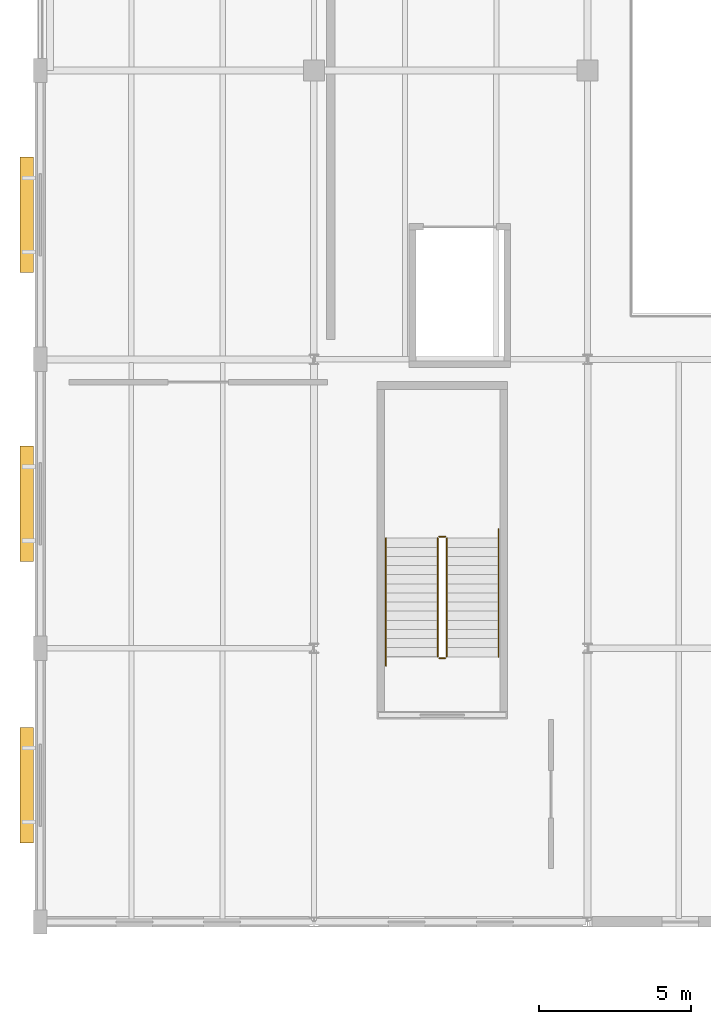
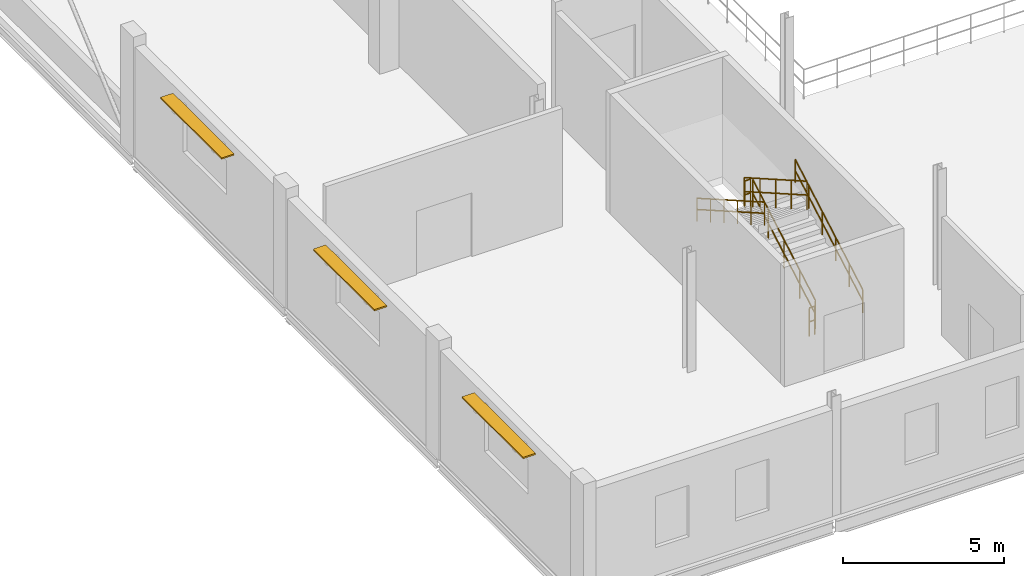
# One storey, part 88 of 93: 6 railings, 3 shading devices.
"""IFC4 building model written with IfcOpenShell, lengths in metres."""

from ifc_helpers import new_model, si_unit, direction, frame, origin, origin_2d, place, context, subcontext, project, spatial, rectangle, circle, extrude, material, layer, layer_set, type_object, element, save


model = new_model("IFC4")

# Units and contexts
model_context = context("Model", 3, precision=1e-05, world=origin(), true_north=direction((0.0, 1.0)))
body_context = subcontext(model_context, "Body", "Model", "MODEL_VIEW")
ifc_project = project(units=[si_unit("LENGTHUNIT", "METRE"), si_unit("AREAUNIT", "SQUARE_METRE"), si_unit("VOLUMEUNIT", "CUBIC_METRE"), si_unit("PLANEANGLEUNIT", "RADIAN"), si_unit("MASSUNIT", "GRAM", prefix="KILO")], contexts=[model_context])

# Site, building, storey
site_placement = place(None, origin())
site = spatial("IfcSite", under=ifc_project, at=site_placement, CompositionType="ELEMENT")
building_placement = place(site_placement, origin())
building = spatial("IfcBuilding", under=site, at=building_placement, Name="Marnock Terrace Opera House", CompositionType="ELEMENT")
storey_placement = place(building_placement, frame((0.0, 0.0, 5.39990234375)))
storey = spatial("IfcBuildingStorey", under=building, at=storey_placement, Name="L01", CompositionType="ELEMENT", Elevation=5.39990234375)

# Railings
ifc_material_1 = material(Name="Architectural bronze balustrade")
railing_type_1 = type_object("IfcRailingType", Name="RL-GUARD-1100", PredefinedType="GUARDRAIL", material=ifc_material_1)
railing_1_placement = place(storey_placement, frame((13.3701171875, 74.719970703125, 0.171630859375)))
element("IfcRailing", 1, at=railing_1_placement, inside=storey, type_object=railing_type_1, Name="L01 ST-07 stair guard 1", PredefinedType="GUARDRAIL", context=body_context, shape_type="SweptSolid", body=[
    extrude(circle(Radius=0.02392578125, at=origin_2d()), frame((0.0, 0.0, 1.076171875), z_axis=(0.0, 0.868256520506, 0.496115525457), x_axis=(-1.0, 0.0, 0.0)), (0.0, 0.0, 1.0), 4.491943359375),
    extrude(circle(Radius=0.02392578125, at=origin_2d()), frame((0.0, 0.0, 0.550048828125), z_axis=(0.0, 0.868256520506, 0.496115525457), x_axis=(-1.0, 0.0, 0.0)), (0.0, 0.0, 1.0), 4.491943359375),
    extrude(circle(Radius=0.02099609375, at=origin_2d()), origin(), (0.0, 0.0, 1.0), 1.052001953125),
    extrude(circle(Radius=0.02099609375, at=origin_2d()), frame((0.0, 0.97509765625, 0.55712890625)), (0.0, 0.0, 1.0), 1.052001953125),
    extrude(circle(Radius=0.02099609375, at=origin_2d()), frame((0.0, 1.9501953125, 1.1142578125)), (0.0, 0.0, 1.0), 1.052001953125),
    extrude(circle(Radius=0.02099609375, at=origin_2d()), frame((0.0, 2.925048828125, 1.67138671875)), (0.0, 0.0, 1.0), 1.052001953125),
    extrude(circle(Radius=0.02099609375, at=origin_2d()), frame((0.0, 3.900146484375, 2.228515625)), (0.0, 0.0, 1.0), 1.052001953125),
])
railing_2_placement = place(storey_placement, frame((13.320068359375, 78.669921875, 2.400146484375)))
element("IfcRailing", 2, at=railing_2_placement, inside=storey, type_object=railing_type_1, Name="L01 ST-07 stair guard 2", PredefinedType="GUARDRAIL", context=body_context, shape_type="SweptSolid", body=[
    extrude(circle(Radius=0.02392578125, at=origin_2d()), frame((0.0, 0.0, 1.076171875), z_axis=(-1.0, 0.0, 0.0), x_axis=(0.0, -1.0, 0.0)), (0.0, 0.0, 1.0), 0.199951171875),
    extrude(circle(Radius=0.02392578125, at=origin_2d()), frame((0.0, 0.0, 0.550048828125), z_axis=(-1.0, 0.0, 0.0), x_axis=(0.0, -1.0, 0.0)), (0.0, 0.0, 1.0), 0.199951171875),
    extrude(circle(Radius=0.02099609375, at=origin_2d()), origin(), (0.0, 0.0, 1.0), 1.052001953125),
    extrude(circle(Radius=0.02099609375, at=origin_2d()), frame((-0.199951171875, 0.0, 0.0)), (0.0, 0.0, 1.0), 1.052001953125),
])
railing_3_placement = place(storey_placement, frame((13.070068359375, 78.6201171875, 2.571533203125)))
element("IfcRailing", 3, at=railing_3_placement, inside=storey, type_object=railing_type_1, Name="L01 ST-07 stair guard 3", PredefinedType="GUARDRAIL", context=body_context, shape_type="SweptSolid", body=[
    extrude(circle(Radius=0.02392578125, at=origin_2d()), frame((0.0, 0.0, 1.076171875), z_axis=(0.0, -0.868256520506, 0.496115525457), x_axis=(1.0, 0.0, 0.0)), (0.0, 0.0, 1.0), 4.491943359375),
    extrude(circle(Radius=0.02392578125, at=origin_2d()), frame((0.0, 0.0, 0.550048828125), z_axis=(0.0, -0.868256520506, 0.496115525457), x_axis=(1.0, 0.0, 0.0)), (0.0, 0.0, 1.0), 4.491943359375),
    extrude(circle(Radius=0.02099609375, at=origin_2d()), origin(), (0.0, 0.0, 1.0), 1.052001953125),
    extrude(circle(Radius=0.02099609375, at=origin_2d()), frame((0.0, -0.97509765625, 0.55712890625)), (0.0, 0.0, 1.0), 1.052001953125),
    extrude(circle(Radius=0.02099609375, at=origin_2d()), frame((0.0, -1.9501953125, 1.1142578125)), (0.0, 0.0, 1.0), 1.052001953125),
    extrude(circle(Radius=0.02099609375, at=origin_2d()), frame((0.0, -2.925048828125, 1.67138671875)), (0.0, 0.0, 1.0), 1.052001953125),
    extrude(circle(Radius=0.02099609375, at=origin_2d()), frame((0.0, -3.900146484375, 2.228515625)), (0.0, 0.0, 1.0), 1.052001953125),
])
railing_4_placement = place(storey_placement, frame((13.320068359375, 74.669921875, 0.0)))
element("IfcRailing", 4, at=railing_4_placement, inside=storey, type_object=railing_type_1, Name="L01 ST-07 stair guard 4", PredefinedType="GUARDRAIL", context=body_context, shape_type="SweptSolid", body=[
    extrude(circle(Radius=0.02392578125, at=origin_2d()), frame((0.0, 0.0, 1.076171875), z_axis=(-1.0, 0.0, 0.0), x_axis=(0.0, -1.0, 0.0)), (0.0, 0.0, 1.0), 0.199951171875),
    extrude(circle(Radius=0.02392578125, at=origin_2d()), frame((0.0, 0.0, 0.550048828125), z_axis=(-1.0, 0.0, 0.0), x_axis=(0.0, -1.0, 0.0)), (0.0, 0.0, 1.0), 0.199951171875),
    extrude(circle(Radius=0.02099609375, at=origin_2d()), origin(), (0.0, 0.0, 1.0), 1.052001953125),
    extrude(circle(Radius=0.02099609375, at=origin_2d()), frame((-0.199951171875, 0.0, 0.0)), (0.0, 0.0, 1.0), 1.052001953125),
])
railing_type_2 = type_object("IfcRailingType", Name="RL-HAND-900", PredefinedType="HANDRAIL", material=ifc_material_1)
railing_5_placement = place(storey_placement, frame((15.070068359375, 74.719970703125, 0.18359375)))
element("IfcRailing", 5, at=railing_5_placement, inside=storey, type_object=railing_type_2, Name="L01 ST-07 stair handrail 1", PredefinedType="HANDRAIL", context=body_context, shape_type="SweptSolid", body=[
    extrude(circle(Radius=0.02392578125, at=origin_2d()), frame((0.0, 0.0, 0.8759765625), z_axis=(0.0, 0.868249353848, 0.496128067682), x_axis=(-1.0, 0.0, 0.0)), (0.0, 0.0, 1.0), 4.837158203125),
    extrude(circle(Radius=0.02392578125, at=origin_2d()), frame((0.0, 0.0, 0.449951171875), z_axis=(0.0, 0.868249353848, 0.496128067682), x_axis=(-1.0, 0.0, 0.0)), (0.0, 0.0, 1.0), 4.837158203125),
    extrude(circle(Radius=0.02099609375, at=origin_2d()), origin(), (0.0, 0.0, 1.0), 0.851806640625),
    extrude(circle(Radius=0.02099609375, at=origin_2d()), frame((0.0, 0.840087890625, 0.47998046875)), (0.0, 0.0, 1.0), 0.851806640625),
    extrude(circle(Radius=0.02099609375, at=origin_2d()), frame((0.0, 1.679931640625, 0.9599609375)), (0.0, 0.0, 1.0), 0.851806640625),
    extrude(circle(Radius=0.02099609375, at=origin_2d()), frame((0.0, 2.52001953125, 1.43994140625)), (0.0, 0.0, 1.0), 0.851806640625),
    extrude(circle(Radius=0.02099609375, at=origin_2d()), frame((0.0, 3.35986328125, 1.919921875)), (0.0, 0.0, 1.0), 0.851806640625),
    extrude(circle(Radius=0.02099609375, at=origin_2d()), frame((0.0, 4.199951171875, 2.39990234375)), (0.0, 0.0, 1.0), 0.851806640625),
])
railing_6_placement = place(storey_placement, frame((11.3701171875, 78.6201171875, 2.58349609375)))
element("IfcRailing", 6, at=railing_6_placement, inside=storey, type_object=railing_type_2, Name="L01 ST-07 stair handrail 2", PredefinedType="HANDRAIL", context=body_context, shape_type="SweptSolid", body=[
    extrude(circle(Radius=0.02392578125, at=origin_2d()), frame((0.0, 0.0, 0.8759765625), z_axis=(0.0, -0.868240036425, 0.496144373291), x_axis=(1.0, 0.0, 0.0)), (0.0, 0.0, 1.0), 4.837646484375),
    extrude(circle(Radius=0.02392578125, at=origin_2d()), frame((0.0, 0.0, 0.449951171875), z_axis=(0.0, -0.868240036425, 0.496144373291), x_axis=(1.0, 0.0, 0.0)), (0.0, 0.0, 1.0), 4.837646484375),
    extrude(circle(Radius=0.02099609375, at=origin_2d()), origin(), (0.0, 0.0, 1.0), 0.851806640625),
    extrude(circle(Radius=0.02099609375, at=origin_2d()), frame((0.0, -0.840087890625, 0.47998046875)), (0.0, 0.0, 1.0), 0.851806640625),
    extrude(circle(Radius=0.02099609375, at=origin_2d()), frame((0.0, -1.68017578125, 0.9599609375)), (0.0, 0.0, 1.0), 0.851806640625),
    extrude(circle(Radius=0.02099609375, at=origin_2d()), frame((0.0, -2.52001953125, 1.440185546875)), (0.0, 0.0, 1.0), 0.851806640625),
    extrude(circle(Radius=0.02099609375, at=origin_2d()), frame((0.0, -3.360107421875, 1.920166015625)), (0.0, 0.0, 1.0), 0.851806640625),
    extrude(circle(Radius=0.02099609375, at=origin_2d()), frame((0.0, -4.2001953125, 2.400146484375)), (0.0, 0.0, 1.0), 0.851806640625),
])

# Shading devices
ifc_material_2 = material(Name="Architectural cast bronze")
ifc_layer = layer(ifc_material_2, 0.054931640625)
ifc_layer_set = layer_set([ifc_layer], Name="Architectural cast bronze")
shading_device_type = type_object("IfcShadingDeviceType", Name="SHD-LOUVRE-3800", PredefinedType="JALOUSIE", material=ifc_layer_set)
for number, where, z_axis, x_axis, name in (
    (7, (-0.43994140625, 70.5, 3.85400390625), (0.0, 0.0, 1.0), (0.0, 1.0, 0.0), "Adelaide sun-control bronze brise-soleil EW-V4W-L01-1"),
    (8, (-0.43994140625, 79.75, 3.85400390625), (0.0, 0.0, 1.0), (0.0, 1.0, 0.0), "Adelaide sun-control bronze brise-soleil EW-V4W-L01-2"),
    (9, (-0.43994140625, 89.25, 3.85400390625), (0.0, 0.0, 1.0), (0.0, 1.0, 0.0), "Adelaide sun-control bronze brise-soleil EW-V4W-L01-3"),
):
    element("IfcShadingDevice", number, at=place(storey_placement, frame(where, z_axis=z_axis, x_axis=x_axis)), inside=storey, type_object=shading_device_type, Name=name, PredefinedType="JALOUSIE", context=body_context, shape_type="SweptSolid", body=[
        extrude(rectangle(XDim=3.800048828125, YDim=0.449951171875, at=origin_2d()), origin(), (0.0, 0.0, 1.0), 0.054931640625),
    ])

save(model, "model.ifc")
